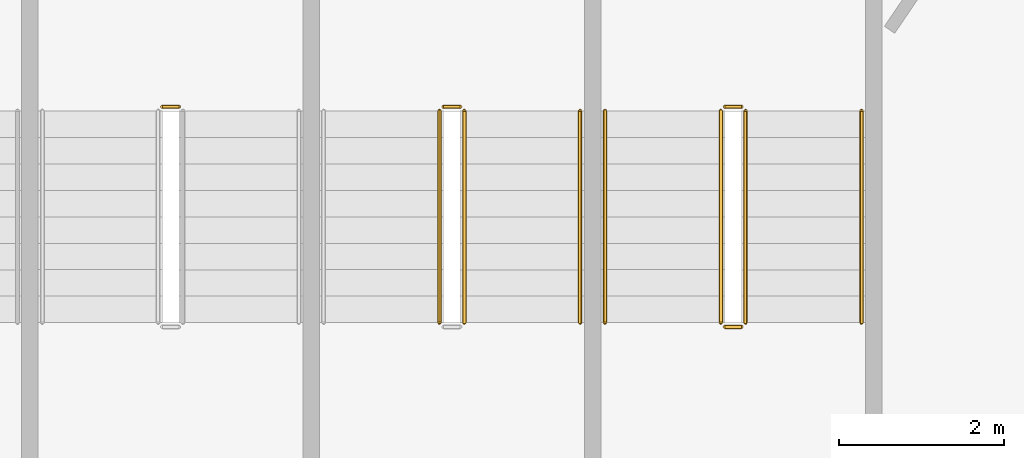
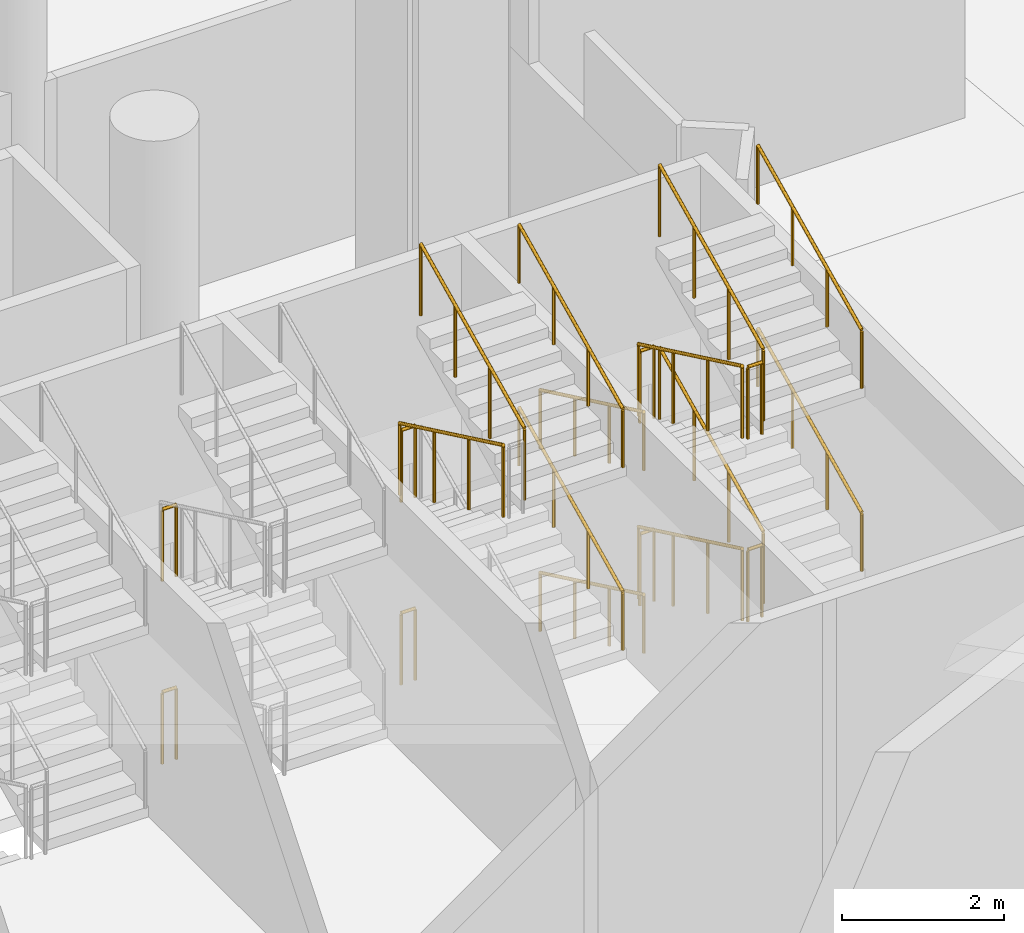
# One storey, part 230 of 271: 20 railings.
"""IFC4 building model written with IfcOpenShell, lengths in metres."""

from ifc_helpers import new_model, si_unit, direction, frame, origin, origin_2d, place, context, subcontext, project, spatial, circle, extrude, material, type_object, element, save


model = new_model("IFC4")

# Units and contexts
model_context = context("Model", 3, precision=1e-05, world=origin(), true_north=direction((0.0, 1.0)))
body_context = subcontext(model_context, "Body", "Model", "MODEL_VIEW")
ifc_project = project(units=[si_unit("LENGTHUNIT", "METRE"), si_unit("AREAUNIT", "SQUARE_METRE"), si_unit("VOLUMEUNIT", "CUBIC_METRE"), si_unit("PLANEANGLEUNIT", "RADIAN"), si_unit("MASSUNIT", "GRAM", prefix="KILO")], contexts=[model_context])

# Site, building, storey
site_placement = place(None, origin())
site = spatial("IfcSite", under=ifc_project, at=site_placement, CompositionType="ELEMENT")
building_placement = place(site_placement, origin())
building = spatial("IfcBuilding", under=site, at=building_placement, Name="Meseta Stadium", CompositionType="ELEMENT")
storey_placement = place(building_placement, frame((0.0, 0.0, 6.5)))
storey = spatial("IfcBuildingStorey", under=building, at=storey_placement, Name="L01", CompositionType="ELEMENT", Elevation=6.5)

# Railings
ifc_material_1 = material(Name="Steel S355", Category="steel")
railing_type_1 = type_object("IfcRailingType", Name="Stair guard 1100", PredefinedType="GUARDRAIL", material=ifc_material_1)
for number, where, name in (
    (1, (-9.466552734375, -94.85009765625, 2.75), "ST94 L01 guard 4"),
    (2, (-9.466552734375, -94.85009765625, 0.0), "ST94 L01 guard 8"),
    (3, (-6.066650390625, -94.85009765625, 2.75), "ST95 L01 guard 4"),
):
    element("IfcRailing", number, at=place(storey_placement, frame(where)), inside=storey, type_object=railing_type_1, Name=name, PredefinedType="GUARDRAIL", context=body_context, shape_type="SweptSolid", body=[
        extrude(circle(Radius=0.02392578125, at=origin_2d()), frame((0.0, 0.0, 1.076171875), z_axis=(1.0, 0.0, 0.0), x_axis=(0.0, 1.0, 0.0)), (0.0, 0.0, 1.0), 0.199951171875),
        extrude(circle(Radius=0.02099609375, at=origin_2d()), origin(), (0.0, 0.0, 1.0), 1.052001953125),
        extrude(circle(Radius=0.02099609375, at=origin_2d()), frame((0.199951171875, 0.0, 0.0)), (0.0, 0.0, 1.0), 1.052001953125),
    ])
railing_1_placement = place(storey_placement, frame((-6.11669921875, -94.89990234375, 2.90283203125)))
element("IfcRailing", 4, at=railing_1_placement, inside=storey, type_object=railing_type_1, Name="ST95 L01 guard 5", PredefinedType="GUARDRAIL", context=body_context, shape_type="SweptSolid", body=[
    extrude(circle(Radius=0.02392578125, at=origin_2d()), frame((0.0, 0.0, 1.076171875), z_axis=(0.0, -0.902436934422, 0.430821981091), x_axis=(1.0, 0.0, 0.0)), (0.0, 0.0, 1.0), 2.8369140625),
    extrude(circle(Radius=0.02099609375, at=origin_2d()), origin(), (0.0, 0.0, 1.0), 1.052001953125),
    extrude(circle(Radius=0.02099609375, at=origin_2d()), frame((0.0, -0.853271484375, 0.407470703125)), (0.0, 0.0, 1.0), 1.052001953125),
    extrude(circle(Radius=0.02099609375, at=origin_2d()), frame((0.0, -1.706787109375, 0.814697265625)), (0.0, 0.0, 1.0), 1.052001953125),
    extrude(circle(Radius=0.02099609375, at=origin_2d()), frame((0.0, -2.56005859375, 1.22216796875)), (0.0, 0.0, 1.0), 1.052001953125),
])
railing_2_placement = place(storey_placement, frame((-5.816650390625, -97.4599609375, 4.27783203125)))
element("IfcRailing", 5, at=railing_2_placement, inside=storey, type_object=railing_type_1, Name="ST95 L01 guard 7", PredefinedType="GUARDRAIL", context=body_context, shape_type="SweptSolid", body=[
    extrude(circle(Radius=0.02392578125, at=origin_2d()), frame((0.0, 0.0, 1.076171875), z_axis=(0.0, 0.902436934422, 0.430821981091), x_axis=(-1.0, 0.0, 0.0)), (0.0, 0.0, 1.0), 2.8369140625),
    extrude(circle(Radius=0.02099609375, at=origin_2d()), origin(), (0.0, 0.0, 1.0), 1.052001953125),
    extrude(circle(Radius=0.02099609375, at=origin_2d()), frame((0.0, 0.853271484375, 0.407470703125)), (0.0, 0.0, 1.0), 1.052001953125),
    extrude(circle(Radius=0.02099609375, at=origin_2d()), frame((0.0, 1.706787109375, 0.814697265625)), (0.0, 0.0, 1.0), 1.052001953125),
    extrude(circle(Radius=0.02099609375, at=origin_2d()), frame((0.0, 2.56005859375, 1.22216796875)), (0.0, 0.0, 1.0), 1.052001953125),
])
railing_3_placement = place(storey_placement, frame((-6.066650390625, -94.85009765625, 0.0)))
element("IfcRailing", 6, at=railing_3_placement, inside=storey, type_object=railing_type_1, Name="ST95 L01 guard 8", PredefinedType="GUARDRAIL", context=body_context, shape_type="SweptSolid", body=[
    extrude(circle(Radius=0.02392578125, at=origin_2d()), frame((0.0, 0.0, 1.076171875), z_axis=(1.0, 0.0, 0.0), x_axis=(0.0, 1.0, 0.0)), (0.0, 0.0, 1.0), 0.199951171875),
    extrude(circle(Radius=0.02099609375, at=origin_2d()), origin(), (0.0, 0.0, 1.0), 1.052001953125),
    extrude(circle(Radius=0.02099609375, at=origin_2d()), frame((0.199951171875, 0.0, 0.0)), (0.0, 0.0, 1.0), 1.052001953125),
])
railing_4_placement = place(storey_placement, frame((-2.716552734375, -94.89990234375, 0.15283203125)))
element("IfcRailing", 7, at=railing_4_placement, inside=storey, type_object=railing_type_1, Name="ST96 L01 guard 1", PredefinedType="GUARDRAIL", context=body_context, shape_type="SweptSolid", body=[
    extrude(circle(Radius=0.02392578125, at=origin_2d()), frame((0.0, 0.0, 1.076171875), z_axis=(0.0, -0.902436934422, 0.430821981091), x_axis=(1.0, 0.0, 0.0)), (0.0, 0.0, 1.0), 2.8369140625),
    extrude(circle(Radius=0.02099609375, at=origin_2d()), origin(), (0.0, 0.0, 1.0), 1.052001953125),
    extrude(circle(Radius=0.02099609375, at=origin_2d()), frame((0.0, -0.853271484375, 0.407470703125)), (0.0, 0.0, 1.0), 1.052001953125),
    extrude(circle(Radius=0.02099609375, at=origin_2d()), frame((0.0, -1.706787109375, 0.814697265625)), (0.0, 0.0, 1.0), 1.052001953125),
    extrude(circle(Radius=0.02099609375, at=origin_2d()), frame((0.0, -2.56005859375, 1.22216796875)), (0.0, 0.0, 1.0), 1.052001953125),
])
railing_5_placement = place(storey_placement, frame((-2.666748046875, -97.510009765625, 1.375)))
element("IfcRailing", 8, at=railing_5_placement, inside=storey, type_object=railing_type_1, Name="ST96 L01 guard 2", PredefinedType="GUARDRAIL", context=body_context, shape_type="SweptSolid", body=[
    extrude(circle(Radius=0.02392578125, at=origin_2d()), frame((0.0, 0.0, 1.076171875), z_axis=(1.0, 0.0, 0.0), x_axis=(0.0, 1.0, 0.0)), (0.0, 0.0, 1.0), 0.2001953125),
    extrude(circle(Radius=0.02099609375, at=origin_2d()), origin(), (0.0, 0.0, 1.0), 1.052001953125),
    extrude(circle(Radius=0.02099609375, at=origin_2d()), frame((0.2001953125, 0.0, 0.0)), (0.0, 0.0, 1.0), 1.052001953125),
])
railing_6_placement = place(storey_placement, frame((-2.416748046875, -97.4599609375, 1.52783203125)))
element("IfcRailing", 9, at=railing_6_placement, inside=storey, type_object=railing_type_1, Name="ST96 L01 guard 3", PredefinedType="GUARDRAIL", context=body_context, shape_type="SweptSolid", body=[
    extrude(circle(Radius=0.02392578125, at=origin_2d()), frame((0.0, 0.0, 1.076171875), z_axis=(0.0, 0.902436934422, 0.430821981091), x_axis=(-1.0, 0.0, 0.0)), (0.0, 0.0, 1.0), 2.8369140625),
    extrude(circle(Radius=0.02099609375, at=origin_2d()), origin(), (0.0, 0.0, 1.0), 1.052001953125),
    extrude(circle(Radius=0.02099609375, at=origin_2d()), frame((0.0, 0.853271484375, 0.407470703125)), (0.0, 0.0, 1.0), 1.052001953125),
    extrude(circle(Radius=0.02099609375, at=origin_2d()), frame((0.0, 1.706787109375, 0.814697265625)), (0.0, 0.0, 1.0), 1.052001953125),
    extrude(circle(Radius=0.02099609375, at=origin_2d()), frame((0.0, 2.56005859375, 1.22216796875)), (0.0, 0.0, 1.0), 1.052001953125),
])
railing_7_placement = place(storey_placement, frame((-2.666748046875, -94.85009765625, 2.75)))
element("IfcRailing", 10, at=railing_7_placement, inside=storey, type_object=railing_type_1, Name="ST96 L01 guard 4", PredefinedType="GUARDRAIL", context=body_context, shape_type="SweptSolid", body=[
    extrude(circle(Radius=0.02392578125, at=origin_2d()), frame((0.0, 0.0, 1.076171875), z_axis=(1.0, 0.0, 0.0), x_axis=(0.0, 1.0, 0.0)), (0.0, 0.0, 1.0), 0.2001953125),
    extrude(circle(Radius=0.02099609375, at=origin_2d()), origin(), (0.0, 0.0, 1.0), 1.052001953125),
    extrude(circle(Radius=0.02099609375, at=origin_2d()), frame((0.2001953125, 0.0, 0.0)), (0.0, 0.0, 1.0), 1.052001953125),
])
railing_8_placement = place(storey_placement, frame((-2.716552734375, -94.89990234375, 2.90283203125)))
element("IfcRailing", 11, at=railing_8_placement, inside=storey, type_object=railing_type_1, Name="ST96 L01 guard 5", PredefinedType="GUARDRAIL", context=body_context, shape_type="SweptSolid", body=[
    extrude(circle(Radius=0.02392578125, at=origin_2d()), frame((0.0, 0.0, 1.076171875), z_axis=(0.0, -0.902436934422, 0.430821981091), x_axis=(1.0, 0.0, 0.0)), (0.0, 0.0, 1.0), 2.8369140625),
    extrude(circle(Radius=0.02099609375, at=origin_2d()), origin(), (0.0, 0.0, 1.0), 1.052001953125),
    extrude(circle(Radius=0.02099609375, at=origin_2d()), frame((0.0, -0.853271484375, 0.407470703125)), (0.0, 0.0, 1.0), 1.052001953125),
    extrude(circle(Radius=0.02099609375, at=origin_2d()), frame((0.0, -1.706787109375, 0.814697265625)), (0.0, 0.0, 1.0), 1.052001953125),
    extrude(circle(Radius=0.02099609375, at=origin_2d()), frame((0.0, -2.56005859375, 1.22216796875)), (0.0, 0.0, 1.0), 1.052001953125),
])
railing_9_placement = place(storey_placement, frame((-2.666748046875, -97.510009765625, 4.125)))
element("IfcRailing", 12, at=railing_9_placement, inside=storey, type_object=railing_type_1, Name="ST96 L01 guard 6", PredefinedType="GUARDRAIL", context=body_context, shape_type="SweptSolid", body=[
    extrude(circle(Radius=0.02392578125, at=origin_2d()), frame((0.0, 0.0, 1.076171875), z_axis=(1.0, 0.0, 0.0), x_axis=(0.0, 1.0, 0.0)), (0.0, 0.0, 1.0), 0.2001953125),
    extrude(circle(Radius=0.02099609375, at=origin_2d()), origin(), (0.0, 0.0, 1.0), 1.052001953125),
    extrude(circle(Radius=0.02099609375, at=origin_2d()), frame((0.2001953125, 0.0, 0.0)), (0.0, 0.0, 1.0), 1.052001953125),
])
railing_10_placement = place(storey_placement, frame((-2.416748046875, -97.4599609375, 4.27783203125)))
element("IfcRailing", 13, at=railing_10_placement, inside=storey, type_object=railing_type_1, Name="ST96 L01 guard 7", PredefinedType="GUARDRAIL", context=body_context, shape_type="SweptSolid", body=[
    extrude(circle(Radius=0.02392578125, at=origin_2d()), frame((0.0, 0.0, 1.076171875), z_axis=(0.0, 0.902436934422, 0.430821981091), x_axis=(-1.0, 0.0, 0.0)), (0.0, 0.0, 1.0), 2.8369140625),
    extrude(circle(Radius=0.02099609375, at=origin_2d()), origin(), (0.0, 0.0, 1.0), 1.052001953125),
    extrude(circle(Radius=0.02099609375, at=origin_2d()), frame((0.0, 0.853271484375, 0.407470703125)), (0.0, 0.0, 1.0), 1.052001953125),
    extrude(circle(Radius=0.02099609375, at=origin_2d()), frame((0.0, 1.706787109375, 0.814697265625)), (0.0, 0.0, 1.0), 1.052001953125),
    extrude(circle(Radius=0.02099609375, at=origin_2d()), frame((0.0, 2.56005859375, 1.22216796875)), (0.0, 0.0, 1.0), 1.052001953125),
])
railing_11_placement = place(storey_placement, frame((-2.666748046875, -94.85009765625, 0.0)))
element("IfcRailing", 14, at=railing_11_placement, inside=storey, type_object=railing_type_1, Name="ST96 L01 guard 8", PredefinedType="GUARDRAIL", context=body_context, shape_type="SweptSolid", body=[
    extrude(circle(Radius=0.02392578125, at=origin_2d()), frame((0.0, 0.0, 1.076171875), z_axis=(1.0, 0.0, 0.0), x_axis=(0.0, 1.0, 0.0)), (0.0, 0.0, 1.0), 0.2001953125),
    extrude(circle(Radius=0.02099609375, at=origin_2d()), origin(), (0.0, 0.0, 1.0), 1.052001953125),
    extrude(circle(Radius=0.02099609375, at=origin_2d()), frame((0.2001953125, 0.0, 0.0)), (0.0, 0.0, 1.0), 1.052001953125),
])
ifc_material_2 = material(Name="Steel S355", Category="steel")
railing_type_2 = type_object("IfcRailingType", Name="Stair handrail 900", PredefinedType="HANDRAIL", material=ifc_material_2)
for number, where, name in (
    (15, (-4.416748046875, -97.4599609375, 1.52783203125), "ST95 L01 handrail 2"),
    (16, (-4.416748046875, -97.4599609375, 4.27783203125), "ST95 L01 handrail 4"),
):
    element("IfcRailing", number, at=place(storey_placement, frame(where)), inside=storey, type_object=railing_type_2, Name=name, PredefinedType="HANDRAIL", context=body_context, shape_type="SweptSolid", body=[
        extrude(circle(Radius=0.02392578125, at=origin_2d()), frame((0.0, 0.0, 0.8759765625), z_axis=(0.0, 0.902436934422, 0.430821981091), x_axis=(-1.0, 0.0, 0.0)), (0.0, 0.0, 1.0), 2.8369140625),
        extrude(circle(Radius=0.02099609375, at=origin_2d()), origin(), (0.0, 0.0, 1.0), 0.851806640625),
        extrude(circle(Radius=0.02099609375, at=origin_2d()), frame((0.0, 0.853271484375, 0.407470703125)), (0.0, 0.0, 1.0), 0.851806640625),
        extrude(circle(Radius=0.02099609375, at=origin_2d()), frame((0.0, 1.706787109375, 0.814697265625)), (0.0, 0.0, 1.0), 0.851806640625),
        extrude(circle(Radius=0.02099609375, at=origin_2d()), frame((0.0, 2.56005859375, 1.22216796875)), (0.0, 0.0, 1.0), 0.851806640625),
    ])
railing_12_placement = place(storey_placement, frame((-4.11669921875, -94.89990234375, 0.15283203125)))
element("IfcRailing", 17, at=railing_12_placement, inside=storey, type_object=railing_type_2, Name="ST96 L01 handrail 1", PredefinedType="HANDRAIL", context=body_context, shape_type="SweptSolid", body=[
    extrude(circle(Radius=0.02392578125, at=origin_2d()), frame((0.0, 0.0, 0.8759765625), z_axis=(0.0, -0.902436934422, 0.430821981091), x_axis=(1.0, 0.0, 0.0)), (0.0, 0.0, 1.0), 2.8369140625),
    extrude(circle(Radius=0.02099609375, at=origin_2d()), origin(), (0.0, 0.0, 1.0), 0.851806640625),
    extrude(circle(Radius=0.02099609375, at=origin_2d()), frame((0.0, -0.853271484375, 0.407470703125)), (0.0, 0.0, 1.0), 0.851806640625),
    extrude(circle(Radius=0.02099609375, at=origin_2d()), frame((0.0, -1.706787109375, 0.814697265625)), (0.0, 0.0, 1.0), 0.851806640625),
    extrude(circle(Radius=0.02099609375, at=origin_2d()), frame((0.0, -2.56005859375, 1.22216796875)), (0.0, 0.0, 1.0), 0.851806640625),
])
railing_13_placement = place(storey_placement, frame((-1.0166015625, -97.4599609375, 1.52783203125)))
element("IfcRailing", 18, at=railing_13_placement, inside=storey, type_object=railing_type_2, Name="ST96 L01 handrail 2", PredefinedType="HANDRAIL", context=body_context, shape_type="SweptSolid", body=[
    extrude(circle(Radius=0.02392578125, at=origin_2d()), frame((0.0, 0.0, 0.8759765625), z_axis=(0.0, 0.902436934422, 0.430821981091), x_axis=(-1.0, 0.0, 0.0)), (0.0, 0.0, 1.0), 2.8369140625),
    extrude(circle(Radius=0.02099609375, at=origin_2d()), origin(), (0.0, 0.0, 1.0), 0.851806640625),
    extrude(circle(Radius=0.02099609375, at=origin_2d()), frame((0.0, 0.853271484375, 0.407470703125)), (0.0, 0.0, 1.0), 0.851806640625),
    extrude(circle(Radius=0.02099609375, at=origin_2d()), frame((0.0, 1.706787109375, 0.814697265625)), (0.0, 0.0, 1.0), 0.851806640625),
    extrude(circle(Radius=0.02099609375, at=origin_2d()), frame((0.0, 2.56005859375, 1.22216796875)), (0.0, 0.0, 1.0), 0.851806640625),
])
railing_14_placement = place(storey_placement, frame((-4.11669921875, -94.89990234375, 2.90283203125)))
element("IfcRailing", 19, at=railing_14_placement, inside=storey, type_object=railing_type_2, Name="ST96 L01 handrail 3", PredefinedType="HANDRAIL", context=body_context, shape_type="SweptSolid", body=[
    extrude(circle(Radius=0.02392578125, at=origin_2d()), frame((0.0, 0.0, 0.8759765625), z_axis=(0.0, -0.902436934422, 0.430821981091), x_axis=(1.0, 0.0, 0.0)), (0.0, 0.0, 1.0), 2.8369140625),
    extrude(circle(Radius=0.02099609375, at=origin_2d()), origin(), (0.0, 0.0, 1.0), 0.851806640625),
    extrude(circle(Radius=0.02099609375, at=origin_2d()), frame((0.0, -0.853271484375, 0.407470703125)), (0.0, 0.0, 1.0), 0.851806640625),
    extrude(circle(Radius=0.02099609375, at=origin_2d()), frame((0.0, -1.706787109375, 0.814697265625)), (0.0, 0.0, 1.0), 0.851806640625),
    extrude(circle(Radius=0.02099609375, at=origin_2d()), frame((0.0, -2.56005859375, 1.22216796875)), (0.0, 0.0, 1.0), 0.851806640625),
])
railing_15_placement = place(storey_placement, frame((-1.0166015625, -97.4599609375, 4.27783203125)))
element("IfcRailing", 20, at=railing_15_placement, inside=storey, type_object=railing_type_2, Name="ST96 L01 handrail 4", PredefinedType="HANDRAIL", context=body_context, shape_type="SweptSolid", body=[
    extrude(circle(Radius=0.02392578125, at=origin_2d()), frame((0.0, 0.0, 0.8759765625), z_axis=(0.0, 0.902436934422, 0.430821981091), x_axis=(-1.0, 0.0, 0.0)), (0.0, 0.0, 1.0), 2.8369140625),
    extrude(circle(Radius=0.02099609375, at=origin_2d()), origin(), (0.0, 0.0, 1.0), 0.851806640625),
    extrude(circle(Radius=0.02099609375, at=origin_2d()), frame((0.0, 0.853271484375, 0.407470703125)), (0.0, 0.0, 1.0), 0.851806640625),
    extrude(circle(Radius=0.02099609375, at=origin_2d()), frame((0.0, 1.706787109375, 0.814697265625)), (0.0, 0.0, 1.0), 0.851806640625),
    extrude(circle(Radius=0.02099609375, at=origin_2d()), frame((0.0, 2.56005859375, 1.22216796875)), (0.0, 0.0, 1.0), 0.851806640625),
])

save(model, "model.ifc")
